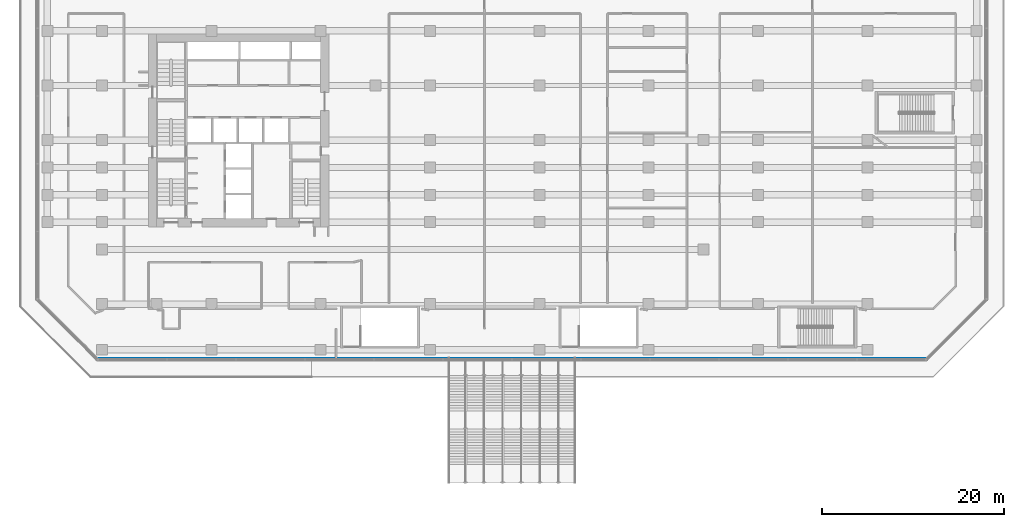
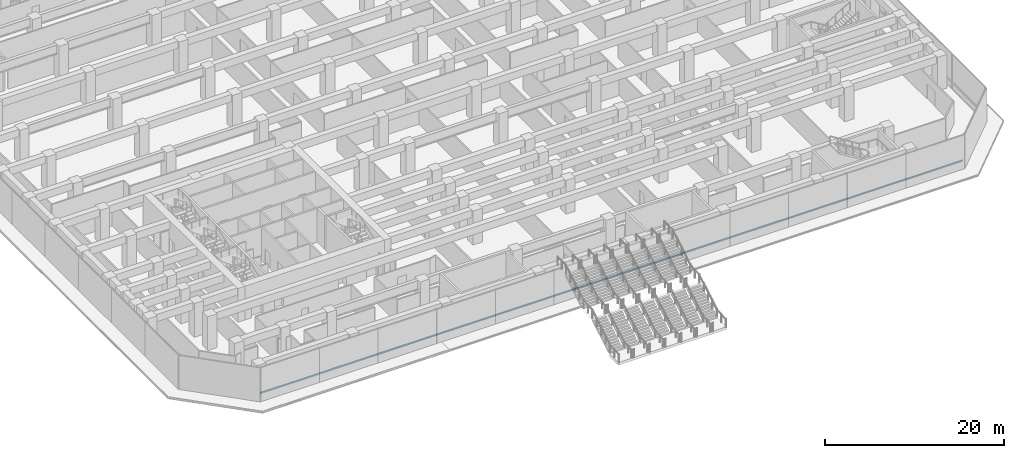
# One storey, part 4 of 40: 1 member, 1 element without a shape of its own.
"""IFC4 building model written with IfcOpenShell, lengths in metres."""

from ifc_helpers import new_model, si_unit, direction, frame, origin, origin_2d, place, context, subcontext, project, spatial, rectangle, extrude, material, layer, layer_set, material_profile, profile_set, type_object, element, aggregate, save


model = new_model("IFC4")

# Units and contexts
model_context = context("Model", 3, precision=1e-05, world=origin(), true_north=direction((0.0, 1.0)))
body_context = subcontext(model_context, "Body", "Model", "MODEL_VIEW")
ifc_project = project(units=[si_unit("LENGTHUNIT", "METRE"), si_unit("AREAUNIT", "SQUARE_METRE"), si_unit("VOLUMEUNIT", "CUBIC_METRE"), si_unit("PLANEANGLEUNIT", "RADIAN"), si_unit("MASSUNIT", "GRAM", prefix="KILO")], contexts=[model_context])

# Site, building, storey
site_placement = place(None, origin())
site = spatial("IfcSite", under=ifc_project, at=site_placement, CompositionType="ELEMENT")
building_placement = place(site_placement, origin())
building = spatial("IfcBuilding", under=site, at=building_placement, Name="Welwitschia Terrace Campus", CompositionType="ELEMENT")
storey_placement = place(building_placement, frame((0.0, 0.0, 6.0)))
storey = spatial("IfcBuildingStorey", under=building, at=storey_placement, Name="L01", CompositionType="ELEMENT", Elevation=6.0)

# Curtain wall, member
ifc_material_1 = material(Name="Bronze anodised aluminium", Category="aluminium")
ifc_layer = layer(ifc_material_1, 0.14990234375)
ifc_layer_set = layer_set([ifc_layer], Name="Bronze anodised aluminium")
curtain_wall_type = type_object("IfcCurtainWallType", Name="Curtain wall CW1 podium 7500", PredefinedType="NOTDEFINED", material=ifc_layer_set)
curtain_wall_placement = place(storey_placement, origin())
curtain_wall = element("IfcCurtainWall", 1, at=curtain_wall_placement, inside=storey, type_object=curtain_wall_type, Name="CW L01.0.0", PredefinedType="NOTDEFINED")
ifc_material_2 = material(Name="Bronze anodised aluminium", Category="aluminium")
ifc_material_profile = material_profile(ifc_material_2, rectangle(XDim=0.080078125, YDim=0.199951171875, at=origin_2d()))
ifc_profile_set = profile_set([ifc_material_profile], Name="Bronze anodised aluminium")
member_type = type_object("IfcMemberType", Name="Transom 80x200", PredefinedType="USERDEFINED", material=ifc_profile_set)
member_placement = place(storey_placement, frame((-0.369384765625, -9.969970703125, 1.0), z_axis=(1.0, 0.0, 0.0), x_axis=(0.0, 1.0, 0.0)))
member = element("IfcMember", 2, at=member_placement, type_object=member_type, Name="Transom L01.0.0", ObjectType="TRANSOM", PredefinedType="USERDEFINED", context=body_context, shape_type="SweptSolid", body=[
    extrude(rectangle(XDim=0.080078125, YDim=0.199951171875, at=origin_2d()), origin(), (0.0, 0.0, 1.0), 90.73876953125),
])
aggregate(curtain_wall, [member])

save(model, "model.ifc")
